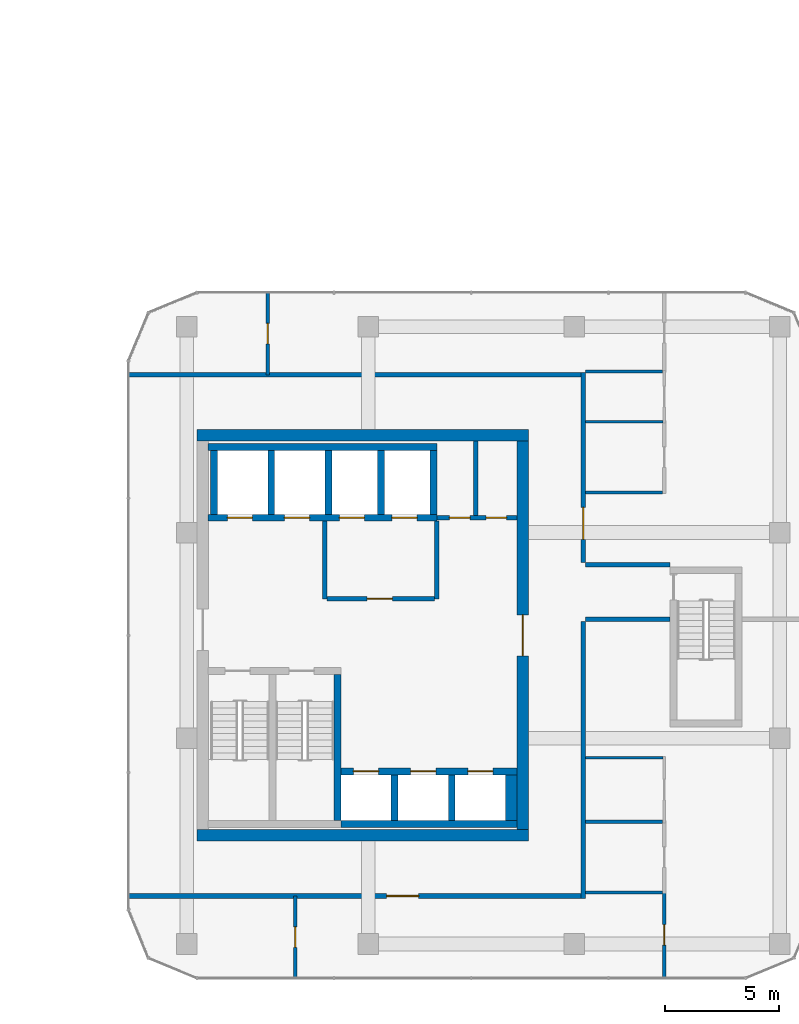
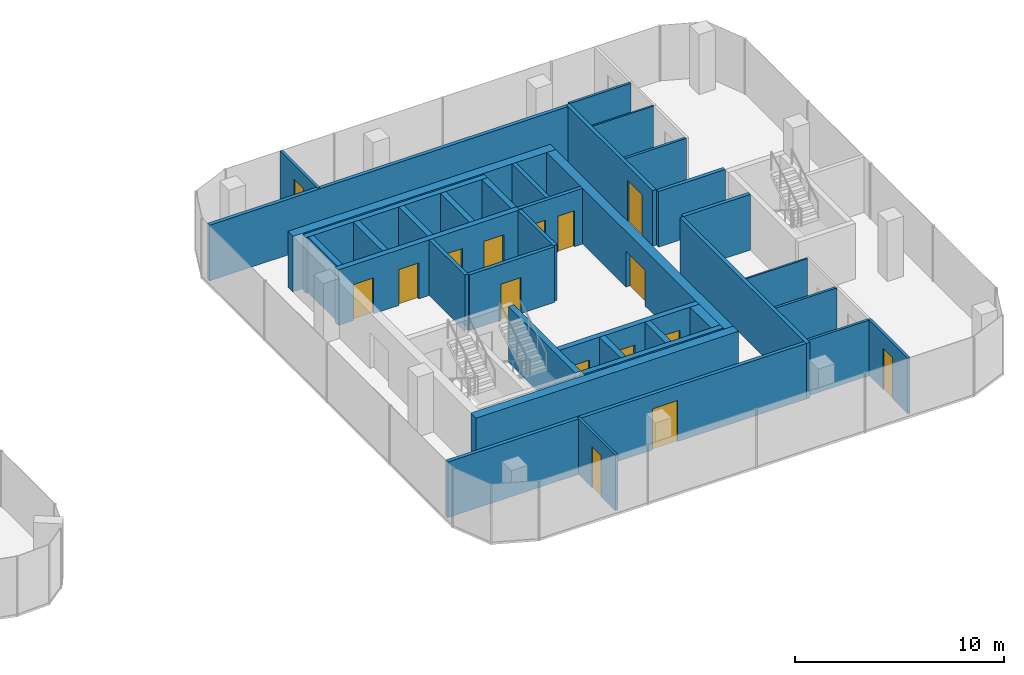
# One storey, part 19 of 24: 36 walls, 16 doors, 16 openings.
"""IFC4 building model written with IfcOpenShell, lengths in metres."""

from ifc_helpers import new_model, si_unit, direction, frame, frame_2d, origin, place, context, subcontext, project, spatial, rectangle, extrude, material, layer, layer_set, type_object, element, fill, save


model = new_model("IFC4")

# Units and contexts
model_context = context("Model", 3, precision=1e-05, world=origin(), true_north=direction((0.0, 1.0)))
body_context = subcontext(model_context, "Body", "Model", "MODEL_VIEW")
ifc_project = project(units=[si_unit("LENGTHUNIT", "METRE"), si_unit("AREAUNIT", "SQUARE_METRE"), si_unit("VOLUMEUNIT", "CUBIC_METRE"), si_unit("PLANEANGLEUNIT", "RADIAN"), si_unit("MASSUNIT", "GRAM", prefix="KILO")], contexts=[model_context])

# Site, building, storey
site_placement = place(None, origin())
site = spatial("IfcSite", under=ifc_project, at=site_placement, CompositionType="ELEMENT")
building_placement = place(site_placement, origin())
building = spatial("IfcBuilding", under=site, at=building_placement, Name="Plateau Cross Towers", CompositionType="ELEMENT")
storey_placement = place(building_placement, frame((0.0, 0.0, 51.300048828125)))
storey = spatial("IfcBuildingStorey", under=building, at=storey_placement, Name="L12", CompositionType="ELEMENT", Elevation=51.300048828125)

# Wall
ifc_material_1 = material(Name="Concrete block, plastered both sides", Category="concrete")
ifc_layer_1 = layer(ifc_material_1, 0.199951171875)
ifc_layer_set_1 = layer_set([ifc_layer_1], Name="Concrete block, plastered both sides")
wall_type_1 = type_object("IfcWallType", Name="Core partition 200", PredefinedType="PARTITIONING", material=ifc_layer_set_1)
wall_1_placement = place(storey_placement, frame((80.60009765625, 10.60009765625, 0.0), z_axis=(0.0, 0.0, 1.0), x_axis=(0.0, 1.0, 0.0)))
element("IfcWall", 1, at=wall_1_placement, inside=storey, type_object=wall_type_1, Name="Core partition", PredefinedType="PARTITIONING", context=body_context, shape_type="SweptSolid", body=[
    extrude(rectangle(XDim=3.39990234375, YDim=0.199951171875, at=frame_2d((1.699951171875, 0.0))), origin(), (0.0, 0.0, 1.0), 3.25),
])

# Wall, opening, door
wall_2_placement = place(storey_placement, frame((80.699951171875, 10.60009765625, 0.0), z_axis=(0.0, 0.0, 1.0), x_axis=(1.0, 0.0, 0.0)))
wall_2 = element("IfcWall", 2, at=wall_2_placement, inside=storey, type_object=wall_type_1, Name="Core partition", PredefinedType="PARTITIONING", context=body_context, shape_type="SweptSolid", body=[
    extrude(rectangle(XDim=4.699951171875, YDim=0.199951171875, at=frame_2d((2.35009765625, 0.0))), origin(), (0.0, 0.0, 1.0), 3.25),
])
opening_1_placement = place(wall_2_placement, frame((1.75, 0.0, 0.0)))
opening_1 = element("IfcOpeningElement", 3, at=opening_1_placement, cuts=wall_2, Name="Opening FFD", PredefinedType="OPENING", context=body_context, shape_type="SweptSolid", body=[
    extrude(rectangle(XDim=1.10009765625, YDim=2.10009765625, at=frame_2d((0.550048828125, 1.050048828125))), frame((0.0, 0.10986328125, 0.0), z_axis=(0.0, -1.0, 0.0), x_axis=(1.0, 0.0, 0.0)), (0.0, 0.0, 1.0), 0.219970703125),
])
ifc_material_2 = material(Name="Steel, fire-resisting leaf", Category="steel")
door_type_1 = type_object("IfcDoorType", Name="Firefighting lobby door 1100", OperationType="NOTDEFINED", PredefinedType="DOOR", material=ifc_material_2)
door_1_placement = place(opening_1_placement, origin())
door_1 = element("IfcDoor", 4, at=door_1_placement, inside=storey, type_object=door_type_1, Name="Firefighting lobby door FFD", OperationType="SINGLE_SWING_LEFT", OverallHeight=2.10009765625, OverallWidth=1.10009765625, PredefinedType="DOOR", context=body_context, shape_type="SweptSolid", body=[
    extrude(rectangle(XDim=1.10009765625, YDim=2.10009765625, at=frame_2d((0.550048828125, 1.050048828125))), frame((0.0, 0.02490234375, 0.0), z_axis=(0.0, -1.0, 0.0), x_axis=(1.0, 0.0, 0.0)), (0.0, 0.0, 1.0), 0.050048828125),
])
fill(opening_1, door_1)

# Wall
wall_3_placement = place(storey_placement, frame((85.5, 10.60009765625, 0.0), z_axis=(0.0, 0.0, 1.0), x_axis=(0.0, 1.0, 0.0)))
element("IfcWall", 5, at=wall_3_placement, inside=storey, type_object=wall_type_1, Name="Core partition", PredefinedType="PARTITIONING", context=body_context, shape_type="SweptSolid", body=[
    extrude(rectangle(XDim=3.39990234375, YDim=0.199951171875, at=frame_2d((1.699951171875, 0.0))), origin(), (0.0, 0.0, 1.0), 3.25),
])

# Wall, openings, doors
wall_4_placement = place(storey_placement, frame((85.5, 14.14990234375, 0.0), z_axis=(0.0, 0.0, 1.0), x_axis=(1.0, 0.0, 0.0)))
wall_4 = element("IfcWall", 6, at=wall_4_placement, inside=storey, type_object=wall_type_1, Name="Core partition", PredefinedType="PARTITIONING", context=body_context, shape_type="SweptSolid", body=[
    extrude(rectangle(XDim=3.5, YDim=0.199951171875, at=frame_2d((1.75, 0.0))), origin(), (0.0, 0.0, 1.0), 3.25),
])
opening_2_placement = place(wall_4_placement, frame((0.550048828125, 0.0, 0.0)))
opening_2 = element("IfcOpeningElement", 7, at=opening_2_placement, cuts=wall_4, Name="Opening RD2", PredefinedType="OPENING", context=body_context, shape_type="SweptSolid", body=[
    extrude(rectangle(XDim=0.89990234375, YDim=2.10009765625, at=frame_2d((0.449951171875, 1.050048828125))), frame((0.0, 0.10986328125, 0.0), z_axis=(0.0, -1.0, 0.0), x_axis=(1.0, 0.0, 0.0)), (0.0, 0.0, 1.0), 0.219970703125),
])
opening_3_placement = place(wall_4_placement, frame((2.14990234375, 0.0, 0.0)))
opening_3 = element("IfcOpeningElement", 8, at=opening_3_placement, cuts=wall_4, Name="Opening RD2", PredefinedType="OPENING", context=body_context, shape_type="SweptSolid", body=[
    extrude(rectangle(XDim=0.89990234375, YDim=2.10009765625, at=frame_2d((0.449951171875, 1.050048828125))), frame((0.0, 0.10986328125, 0.0), z_axis=(0.0, -1.0, 0.0), x_axis=(1.0, 0.0, 0.0)), (0.0, 0.0, 1.0), 0.219970703125),
])
door_type_2 = type_object("IfcDoorType", Name="Core riser door 900", OperationType="NOTDEFINED", PredefinedType="DOOR", material=ifc_material_2)
door_2_placement = place(opening_2_placement, origin())
door_2 = element("IfcDoor", 9, at=door_2_placement, inside=storey, type_object=door_type_2, Name="Core riser door RD2", OperationType="SINGLE_SWING_LEFT", OverallHeight=2.10009765625, OverallWidth=0.89990234375, PredefinedType="DOOR", context=body_context, shape_type="SweptSolid", body=[
    extrude(rectangle(XDim=0.89990234375, YDim=2.10009765625, at=frame_2d((0.449951171875, 1.050048828125))), frame((0.0, 0.02490234375, 0.0), z_axis=(0.0, -1.0, 0.0), x_axis=(1.0, 0.0, 0.0)), (0.0, 0.0, 1.0), 0.050048828125),
])
fill(opening_2, door_2)
door_3_placement = place(opening_3_placement, origin())
door_3 = element("IfcDoor", 10, at=door_3_placement, inside=storey, type_object=door_type_2, Name="Core riser door RD2", OperationType="SINGLE_SWING_LEFT", OverallHeight=2.10009765625, OverallWidth=0.89990234375, PredefinedType="DOOR", context=body_context, shape_type="SweptSolid", body=[
    extrude(rectangle(XDim=0.89990234375, YDim=2.10009765625, at=frame_2d((0.449951171875, 1.050048828125))), frame((0.0, 0.02490234375, 0.0), z_axis=(0.0, -1.0, 0.0), x_axis=(1.0, 0.0, 0.0)), (0.0, 0.0, 1.0), 0.050048828125),
])
fill(opening_3, door_3)

# Walls
wall_5_placement = place(storey_placement, frame((87.199951171875, 14.25, 0.0), z_axis=(0.0, 0.0, 1.0), x_axis=(0.0, 1.0, 0.0)))
element("IfcWall", 11, at=wall_5_placement, inside=storey, type_object=wall_type_1, Name="Core partition", PredefinedType="PARTITIONING", context=body_context, shape_type="SweptSolid", body=[
    extrude(rectangle(XDim=3.25, YDim=0.199951171875, at=frame_2d((1.625, 0.0))), origin(), (0.0, 0.0, 1.0), 3.25),
])
ifc_material_3 = material(Name="Concrete C60/75", Category="concrete")
ifc_layer_2 = layer(ifc_material_3, 0.300048828125)
ifc_layer_set_2 = layer_set([ifc_layer_2], Name="Concrete C60/75")
wall_type_2 = type_object("IfcWallType", Name="Core shaft wall 300", PredefinedType="SHEAR", material=ifc_layer_set_2)
wall_6_placement = place(storey_placement, frame((81.14990234375, 0.89990234375, 0.0), z_axis=(0.0, 0.0, 1.0), x_axis=(0.0, 1.0, 0.0)))
element("IfcWall", 12, at=wall_6_placement, inside=storey, type_object=wall_type_2, Name="B-sb-st2@L12", PredefinedType="SHEAR", context=body_context, shape_type="SweptSolid", body=[
    extrude(rectangle(XDim=6.400146484375, YDim=0.300048828125, at=frame_2d((3.2001953125, 0.0))), origin(), (0.0, 0.0, 1.0), 3.25),
])
wall_7_placement = place(storey_placement, frame((81.300048828125, 0.75, 0.0), z_axis=(0.0, 0.0, 1.0), x_axis=(1.0, 0.0, 0.0)))
element("IfcWall", 13, at=wall_7_placement, inside=storey, type_object=wall_type_2, Name="B-sb-back@L12", PredefinedType="SHEAR", context=body_context, shape_type="SweptSolid", body=[
    extrude(rectangle(XDim=7.699951171875, YDim=0.300048828125, at=frame_2d((3.85009765625, 0.0))), origin(), (0.0, 0.0, 1.0), 3.25),
])
for number, where, z_axis, x_axis, name in (
    (14, (83.64990234375, 0.89990234375, 0.0), (0.0, 0.0, 1.0), (0.0, 1.0, 0.0), "B-sb-v1@L12"),
    (15, (86.14990234375, 0.89990234375, 0.0), (0.0, 0.0, 1.0), (0.0, 1.0, 0.0), "B-sb-v2@L12"),
):
    element("IfcWall", number, at=place(storey_placement, frame(where, z_axis=z_axis, x_axis=x_axis)), inside=storey, type_object=wall_type_2, Name=name, PredefinedType="SHEAR", context=body_context, shape_type="SweptSolid", body=[
        extrude(rectangle(XDim=2.0, YDim=0.300048828125, at=frame_2d((1.0, 0.0))), origin(), (0.0, 0.0, 1.0), 3.25),
    ])

# Wall, openings, doors
wall_8_placement = place(storey_placement, frame((81.300048828125, 3.050048828125, 0.0), z_axis=(0.0, 0.0, 1.0), x_axis=(1.0, 0.0, 0.0)))
wall_8 = element("IfcWall", 16, at=wall_8_placement, inside=storey, type_object=wall_type_2, Name="B-sb-front@L12", PredefinedType="SHEAR", context=body_context, shape_type="SweptSolid", body=[
    extrude(rectangle(XDim=7.699951171875, YDim=0.300048828125, at=frame_2d((3.85009765625, 0.0))), origin(), (0.0, 0.0, 1.0), 3.25),
])
opening_4_placement = place(wall_8_placement, frame((0.550048828125, 0.0, 0.0)))
opening_4 = element("IfcOpeningElement", 17, at=opening_4_placement, cuts=wall_8, Name="Opening LD", PredefinedType="OPENING", context=body_context, shape_type="SweptSolid", body=[
    extrude(rectangle(XDim=1.10009765625, YDim=2.10009765625, at=frame_2d((0.550048828125, 1.050048828125))), frame((0.0, 0.159912109375, 0.0), z_axis=(0.0, -1.0, 0.0), x_axis=(1.0, 0.0, 0.0)), (0.0, 0.0, 1.0), 0.320068359375),
])
opening_5_placement = place(wall_8_placement, frame((3.050048828125, 0.0, 0.0)))
opening_5 = element("IfcOpeningElement", 18, at=opening_5_placement, cuts=wall_8, Name="Opening LD", PredefinedType="OPENING", context=body_context, shape_type="SweptSolid", body=[
    extrude(rectangle(XDim=1.10009765625, YDim=2.10009765625, at=frame_2d((0.550048828125, 1.050048828125))), frame((0.0, 0.159912109375, 0.0), z_axis=(0.0, -1.0, 0.0), x_axis=(1.0, 0.0, 0.0)), (0.0, 0.0, 1.0), 0.320068359375),
])
opening_6_placement = place(wall_8_placement, frame((5.550048828125, 0.0, 0.0)))
opening_6 = element("IfcOpeningElement", 19, at=opening_6_placement, cuts=wall_8, Name="Opening LD", PredefinedType="OPENING", context=body_context, shape_type="SweptSolid", body=[
    extrude(rectangle(XDim=1.10009765625, YDim=2.10009765625, at=frame_2d((0.550048828125, 1.050048828125))), frame((0.0, 0.159912109375, 0.0), z_axis=(0.0, -1.0, 0.0), x_axis=(1.0, 0.0, 0.0)), (0.0, 0.0, 1.0), 0.320068359375),
])
ifc_material_4 = material(Name="Stainless steel, fire-resisting sliding leaves", Category="steel")
door_type_3 = type_object("IfcDoorType", Name="Lift landing door 1100", OperationType="NOTDEFINED", PredefinedType="DOOR", material=ifc_material_4)
door_4_placement = place(opening_4_placement, origin())
door_4 = element("IfcDoor", 20, at=door_4_placement, inside=storey, type_object=door_type_3, Name="Lift landing door LD", OperationType="DOUBLE_DOOR_SLIDING", OverallHeight=2.10009765625, OverallWidth=1.10009765625, PredefinedType="DOOR", context=body_context, shape_type="SweptSolid", body=[
    extrude(rectangle(XDim=1.10009765625, YDim=2.10009765625, at=frame_2d((0.550048828125, 1.050048828125))), frame((0.0, 0.02490234375, 0.0), z_axis=(0.0, -1.0, 0.0), x_axis=(1.0, 0.0, 0.0)), (0.0, 0.0, 1.0), 0.050048828125),
])
fill(opening_4, door_4)
door_5_placement = place(opening_5_placement, origin())
door_5 = element("IfcDoor", 21, at=door_5_placement, inside=storey, type_object=door_type_3, Name="Lift landing door LD", OperationType="DOUBLE_DOOR_SLIDING", OverallHeight=2.10009765625, OverallWidth=1.10009765625, PredefinedType="DOOR", context=body_context, shape_type="SweptSolid", body=[
    extrude(rectangle(XDim=1.10009765625, YDim=2.10009765625, at=frame_2d((0.550048828125, 1.050048828125))), frame((0.0, 0.02490234375, 0.0), z_axis=(0.0, -1.0, 0.0), x_axis=(1.0, 0.0, 0.0)), (0.0, 0.0, 1.0), 0.050048828125),
])
fill(opening_5, door_5)
door_6_placement = place(opening_6_placement, origin())
door_6 = element("IfcDoor", 22, at=door_6_placement, inside=storey, type_object=door_type_3, Name="Lift landing door LD", OperationType="DOUBLE_DOOR_SLIDING", OverallHeight=2.10009765625, OverallWidth=1.10009765625, PredefinedType="DOOR", context=body_context, shape_type="SweptSolid", body=[
    extrude(rectangle(XDim=1.10009765625, YDim=2.10009765625, at=frame_2d((0.550048828125, 1.050048828125))), frame((0.0, 0.02490234375, 0.0), z_axis=(0.0, -1.0, 0.0), x_axis=(1.0, 0.0, 0.0)), (0.0, 0.0, 1.0), 0.050048828125),
])
fill(opening_6, door_6)

# Wall
wall_9_placement = place(storey_placement, frame((75.47998046875, 17.25, 0.0), z_axis=(0.0, 0.0, 1.0), x_axis=(1.0, 0.0, 0.0)))
element("IfcWall", 23, at=wall_9_placement, inside=storey, type_object=wall_type_2, Name="B-nb-back@L12", PredefinedType="SHEAR", context=body_context, shape_type="SweptSolid", body=[
    extrude(rectangle(XDim=10.02001953125, YDim=0.300048828125, at=frame_2d((5.010009765625, 0.0))), origin(), (0.0, 0.0, 1.0), 3.25),
])

# Wall, openings, doors
wall_10_placement = place(storey_placement, frame((75.47998046875, 14.14990234375, 0.0), z_axis=(0.0, 0.0, 1.0), x_axis=(1.0, 0.0, 0.0)))
wall_10 = element("IfcWall", 24, at=wall_10_placement, inside=storey, type_object=wall_type_2, Name="B-nb-front@L12", PredefinedType="SHEAR", context=body_context, shape_type="SweptSolid", body=[
    extrude(rectangle(XDim=10.02001953125, YDim=0.300048828125, at=frame_2d((5.010009765625, 0.0))), origin(), (0.0, 0.0, 1.0), 3.25),
])
opening_7_placement = place(wall_10_placement, frame((0.85009765625, 0.0, 0.0)))
opening_7 = element("IfcOpeningElement", 25, at=opening_7_placement, cuts=wall_10, Name="Opening LD", PredefinedType="OPENING", context=body_context, shape_type="SweptSolid", body=[
    extrude(rectangle(XDim=1.10009765625, YDim=2.10009765625, at=frame_2d((0.550048828125, 1.050048828125))), frame((0.0, 0.159912109375, 0.0), z_axis=(0.0, -1.0, 0.0), x_axis=(1.0, 0.0, 0.0)), (0.0, 0.0, 1.0), 0.320068359375),
])
opening_8_placement = place(wall_10_placement, frame((3.35009765625, 0.0, 0.0)))
opening_8 = element("IfcOpeningElement", 26, at=opening_8_placement, cuts=wall_10, Name="Opening LD", PredefinedType="OPENING", context=body_context, shape_type="SweptSolid", body=[
    extrude(rectangle(XDim=1.10009765625, YDim=2.10009765625, at=frame_2d((0.550048828125, 1.050048828125))), frame((0.0, 0.159912109375, 0.0), z_axis=(0.0, -1.0, 0.0), x_axis=(1.0, 0.0, 0.0)), (0.0, 0.0, 1.0), 0.320068359375),
])
opening_9_placement = place(wall_10_placement, frame((5.75, 0.0, 0.0)))
opening_9 = element("IfcOpeningElement", 27, at=opening_9_placement, cuts=wall_10, Name="Opening LD", PredefinedType="OPENING", context=body_context, shape_type="SweptSolid", body=[
    extrude(rectangle(XDim=1.10009765625, YDim=2.10009765625, at=frame_2d((0.550048828125, 1.050048828125))), frame((0.0, 0.159912109375, 0.0), z_axis=(0.0, -1.0, 0.0), x_axis=(1.0, 0.0, 0.0)), (0.0, 0.0, 1.0), 0.320068359375),
])
opening_10_placement = place(wall_10_placement, frame((8.050048828125, 0.0, 0.0)))
opening_10 = element("IfcOpeningElement", 28, at=opening_10_placement, cuts=wall_10, Name="Opening LD", PredefinedType="OPENING", context=body_context, shape_type="SweptSolid", body=[
    extrude(rectangle(XDim=1.10009765625, YDim=2.10009765625, at=frame_2d((0.550048828125, 1.050048828125))), frame((0.0, 0.159912109375, 0.0), z_axis=(0.0, -1.0, 0.0), x_axis=(1.0, 0.0, 0.0)), (0.0, 0.0, 1.0), 0.320068359375),
])
door_7_placement = place(opening_7_placement, origin())
door_7 = element("IfcDoor", 29, at=door_7_placement, inside=storey, type_object=door_type_3, Name="Lift landing door LD", OperationType="DOUBLE_DOOR_SLIDING", OverallHeight=2.10009765625, OverallWidth=1.10009765625, PredefinedType="DOOR", context=body_context, shape_type="SweptSolid", body=[
    extrude(rectangle(XDim=1.10009765625, YDim=2.10009765625, at=frame_2d((0.550048828125, 1.050048828125))), frame((0.0, 0.02490234375, 0.0), z_axis=(0.0, -1.0, 0.0), x_axis=(1.0, 0.0, 0.0)), (0.0, 0.0, 1.0), 0.050048828125),
])
fill(opening_7, door_7)
door_8_placement = place(opening_8_placement, origin())
door_8 = element("IfcDoor", 30, at=door_8_placement, inside=storey, type_object=door_type_3, Name="Lift landing door LD", OperationType="DOUBLE_DOOR_SLIDING", OverallHeight=2.10009765625, OverallWidth=1.10009765625, PredefinedType="DOOR", context=body_context, shape_type="SweptSolid", body=[
    extrude(rectangle(XDim=1.10009765625, YDim=2.10009765625, at=frame_2d((0.550048828125, 1.050048828125))), frame((0.0, 0.02490234375, 0.0), z_axis=(0.0, -1.0, 0.0), x_axis=(1.0, 0.0, 0.0)), (0.0, 0.0, 1.0), 0.050048828125),
])
fill(opening_8, door_8)
door_9_placement = place(opening_9_placement, origin())
door_9 = element("IfcDoor", 31, at=door_9_placement, inside=storey, type_object=door_type_3, Name="Lift landing door LD", OperationType="DOUBLE_DOOR_SLIDING", OverallHeight=2.10009765625, OverallWidth=1.10009765625, PredefinedType="DOOR", context=body_context, shape_type="SweptSolid", body=[
    extrude(rectangle(XDim=1.10009765625, YDim=2.10009765625, at=frame_2d((0.550048828125, 1.050048828125))), frame((0.0, 0.02490234375, 0.0), z_axis=(0.0, -1.0, 0.0), x_axis=(1.0, 0.0, 0.0)), (0.0, 0.0, 1.0), 0.050048828125),
])
fill(opening_9, door_9)
door_10_placement = place(opening_10_placement, origin())
door_10 = element("IfcDoor", 32, at=door_10_placement, inside=storey, type_object=door_type_3, Name="Lift landing door LD", OperationType="DOUBLE_DOOR_SLIDING", OverallHeight=2.10009765625, OverallWidth=1.10009765625, PredefinedType="DOOR", context=body_context, shape_type="SweptSolid", body=[
    extrude(rectangle(XDim=1.10009765625, YDim=2.10009765625, at=frame_2d((0.550048828125, 1.050048828125))), frame((0.0, 0.02490234375, 0.0), z_axis=(0.0, -1.0, 0.0), x_axis=(1.0, 0.0, 0.0)), (0.0, 0.0, 1.0), 0.050048828125),
])
fill(opening_10, door_10)

# Walls
for number, where, z_axis, x_axis, name in (
    (33, (75.75, 14.300048828125, 0.0), (0.0, 0.0, 1.0), (0.0, 1.0, 0.0), "B-nb-v0@L12"),
    (34, (78.25, 14.300048828125, 0.0), (0.0, 0.0, 1.0), (0.0, 1.0, 0.0), "B-nb-v1@L12"),
    (35, (80.75, 14.300048828125, 0.0), (0.0, 0.0, 1.0), (0.0, 1.0, 0.0), "B-nb-v2@L12"),
    (36, (83.050048828125, 14.300048828125, 0.0), (0.0, 0.0, 1.0), (0.0, 1.0, 0.0), "B-nb-v3@L12"),
    (37, (85.35009765625, 14.300048828125, 0.0), (0.0, 0.0, 1.0), (0.0, 1.0, 0.0), "B-nb-v4@L12"),
):
    element("IfcWall", number, at=place(storey_placement, frame(where, z_axis=z_axis, x_axis=x_axis)), inside=storey, type_object=wall_type_2, Name=name, PredefinedType="SHEAR", context=body_context, shape_type="SweptSolid", body=[
        extrude(rectangle(XDim=2.800048828125, YDim=0.300048828125, at=frame_2d((1.39990234375, 0.0))), origin(), (0.0, 0.0, 1.0), 3.25),
    ])
ifc_layer_3 = layer(ifc_material_3, 0.5)
ifc_layer_set_3 = layer_set([ifc_layer_3], Name="Concrete C60/75")
wall_type_3 = type_object("IfcWallType", Name="Core shaft wall 500", PredefinedType="SHEAR", material=ifc_layer_set_3)
wall_11_placement = place(storey_placement, frame((88.75, 0.89990234375, 0.0), z_axis=(0.0, 0.0, 1.0), x_axis=(0.0, 1.0, 0.0)))
element("IfcWall", 38, at=wall_11_placement, inside=storey, type_object=wall_type_3, Name="B-sb-v3@L12", PredefinedType="SHEAR", context=body_context, shape_type="SweptSolid", body=[
    extrude(rectangle(XDim=2.0, YDim=0.5, at=frame_2d((1.0, 0.0))), origin(), (0.0, 0.0, 1.0), 3.25),
])
ifc_layer_4 = layer(ifc_material_3, 0.5)
ifc_layer_set_4 = layer_set([ifc_layer_4], Name="Concrete C60/75")
wall_type_4 = type_object("IfcWallType", Name="Core shell wall 500", PredefinedType="SHEAR", material=ifc_layer_set_4)
for number, where, z_axis, x_axis, name in (
    (39, (75.0, 0.25, 0.0), (0.0, 0.0, 1.0), (1.0, 0.0, 0.0), "B-core-S@L12"),
    (40, (75.0, 17.75, 0.0), (0.0, 0.0, 1.0), (1.0, 0.0, 0.0), "B-core-N@L12"),
):
    element("IfcWall", number, at=place(storey_placement, frame(where, z_axis=z_axis, x_axis=x_axis)), inside=storey, type_object=wall_type_4, Name=name, PredefinedType="SHEAR", context=body_context, shape_type="SweptSolid", body=[
        extrude(rectangle(XDim=14.5, YDim=0.5, at=frame_2d((7.25, 0.0))), origin(), (0.0, 0.0, 1.0), 3.25),
    ])

# Wall, opening, door
wall_12_placement = place(storey_placement, frame((89.25, 0.5, 0.0), z_axis=(0.0, 0.0, 1.0), x_axis=(0.0, 1.0, 0.0)))
wall_12 = element("IfcWall", 41, at=wall_12_placement, inside=storey, type_object=wall_type_4, Name="B-core-E@L12", PredefinedType="SHEAR", context=body_context, shape_type="SweptSolid", body=[
    extrude(rectangle(XDim=17.0, YDim=0.5, at=frame_2d((8.5, 0.0))), origin(), (0.0, 0.0, 1.0), 3.25),
])
opening_11_placement = place(wall_12_placement, frame((7.60009765625, 0.0, 0.0)))
opening_11 = element("IfcOpeningElement", 42, at=opening_11_placement, cuts=wall_12, Name="Opening CD", PredefinedType="OPENING", context=body_context, shape_type="SweptSolid", body=[
    extrude(rectangle(XDim=1.800048828125, YDim=2.10009765625, at=frame_2d((0.89990234375, 1.050048828125))), frame((0.0, 0.260009765625, 0.0), z_axis=(0.0, -1.0, 0.0), x_axis=(1.0, 0.0, 0.0)), (0.0, 0.0, 1.0), 0.52001953125),
])
ifc_material_5 = material(Name="Steel, fire-resisting leaves", Category="steel")
door_type_4 = type_object("IfcDoorType", Name="Corridor door pair 1800", OperationType="NOTDEFINED", PredefinedType="DOOR", material=ifc_material_5)
door_11_placement = place(opening_11_placement, origin())
door_11 = element("IfcDoor", 43, at=door_11_placement, inside=storey, type_object=door_type_4, Name="Corridor door pair CD", OperationType="DOUBLE_DOOR_SINGLE_SWING", OverallHeight=2.10009765625, OverallWidth=1.800048828125, PredefinedType="DOOR", context=body_context, shape_type="SweptSolid", body=[
    extrude(rectangle(XDim=1.800048828125, YDim=2.10009765625, at=frame_2d((0.89990234375, 1.050048828125))), frame((0.0, 0.02490234375, 0.0), z_axis=(0.0, -1.0, 0.0), x_axis=(1.0, 0.0, 0.0)), (0.0, 0.0, 1.0), 0.050048828125),
])
fill(opening_11, door_11)

ifc_material_6 = material(Name="Gypsum board on steel studs, two layers each side", Category="steel")
ifc_layer_5 = layer(ifc_material_6, 0.199951171875)
ifc_layer_set_5 = layer_set([ifc_layer_5], Name="Gypsum board on steel studs, two layers each side")
wall_type_5 = type_object("IfcWallType", Name="Corridor wall 200", PredefinedType="PARTITIONING", material=ifc_layer_set_5)
wall_13_placement = place(storey_placement, frame((72.0, -2.39990234375, 0.0), z_axis=(0.0, 0.0, 1.0), x_axis=(1.0, 0.0, 0.0)))
wall_13 = element("IfcWall", 44, at=wall_13_placement, inside=storey, type_object=wall_type_5, Name="Ring wall", PredefinedType="PARTITIONING", context=body_context, shape_type="SweptSolid", body=[
    extrude(rectangle(XDim=20.0, YDim=0.199951171875, at=frame_2d((10.0, 0.0))), origin(), (0.0, 0.0, 1.0), 3.25),
])
opening_12_placement = place(wall_13_placement, frame((11.300048828125, 0.0, 0.0)))
opening_12 = element("IfcOpeningElement", 45, at=opening_12_placement, cuts=wall_13, Name="Opening D-BE14", PredefinedType="OPENING", context=body_context, shape_type="SweptSolid", body=[
    extrude(rectangle(XDim=1.39990234375, YDim=2.39990234375, at=frame_2d((0.699951171875, 1.199951171875))), frame((0.0, 0.10986328125, 0.0), z_axis=(0.0, -1.0, 0.0), x_axis=(1.0, 0.0, 0.0)), (0.0, 0.0, 1.0), 0.219970703125),
])
ifc_material_7 = material(Name="Timber, fire-resisting leaves", Category="wood")
door_type_5 = type_object("IfcDoorType", Name="Tenant entrance double-leaf 1400x2400", OperationType="NOTDEFINED", PredefinedType="DOOR", material=ifc_material_7)
door_12_placement = place(opening_12_placement, origin())
door_12 = element("IfcDoor", 46, at=door_12_placement, inside=storey, type_object=door_type_5, Name="Door D-BE14", OperationType="DOUBLE_DOOR_SINGLE_SWING", OverallHeight=2.39990234375, OverallWidth=1.39990234375, PredefinedType="DOOR", context=body_context, shape_type="SweptSolid", body=[
    extrude(rectangle(XDim=1.39990234375, YDim=2.39990234375, at=frame_2d((0.699951171875, 1.199951171875))), frame((0.0, 0.02490234375, 0.0), z_axis=(0.0, -1.0, 0.0), x_axis=(1.0, 0.0, 0.0)), (0.0, 0.0, 1.0), 0.050048828125),
])
fill(opening_12, door_12)

# Walls
wall_14_placement = place(storey_placement, frame((72.0, 20.39990234375, 0.0), z_axis=(0.0, 0.0, 1.0), x_axis=(1.0, 0.0, 0.0)))
element("IfcWall", 47, at=wall_14_placement, inside=storey, type_object=wall_type_5, Name="Ring wall", PredefinedType="PARTITIONING", context=body_context, shape_type="SweptSolid", body=[
    extrude(rectangle(XDim=20.0, YDim=0.199951171875, at=frame_2d((10.0, 0.0))), origin(), (0.0, 0.0, 1.0), 3.25),
])
wall_15_placement = place(storey_placement, frame((91.89990234375, -2.5, 0.0), z_axis=(0.0, 0.0, 1.0), x_axis=(0.0, 1.0, 0.0)))
element("IfcWall", 48, at=wall_15_placement, inside=storey, type_object=wall_type_5, Name="Ring wall", PredefinedType="PARTITIONING", context=body_context, shape_type="SweptSolid", body=[
    extrude(rectangle(XDim=12.10009765625, YDim=0.199951171875, at=frame_2d((6.050048828125, 0.0))), origin(), (0.0, 0.0, 1.0), 3.25),
])

# Wall, opening, door
wall_16_placement = place(storey_placement, frame((91.89990234375, 12.199951171875, 0.0), z_axis=(0.0, 0.0, 1.0), x_axis=(0.0, 1.0, 0.0)))
wall_16 = element("IfcWall", 49, at=wall_16_placement, inside=storey, type_object=wall_type_5, Name="Ring wall", PredefinedType="PARTITIONING", context=body_context, shape_type="SweptSolid", body=[
    extrude(rectangle(XDim=8.300048828125, YDim=0.199951171875, at=frame_2d((4.14990234375, 0.0))), origin(), (0.0, 0.0, 1.0), 3.25),
])
opening_13_placement = place(wall_16_placement, frame((1.0, 0.0, 0.0)))
opening_13 = element("IfcOpeningElement", 50, at=opening_13_placement, cuts=wall_16, Name="Opening D-BE14", PredefinedType="OPENING", context=body_context, shape_type="SweptSolid", body=[
    extrude(rectangle(XDim=1.39990234375, YDim=2.39990234375, at=frame_2d((0.699951171875, 1.199951171875))), frame((0.0, 0.10986328125, 0.0), z_axis=(0.0, -1.0, 0.0), x_axis=(1.0, 0.0, 0.0)), (0.0, 0.0, 1.0), 0.219970703125),
])
door_13_placement = place(opening_13_placement, origin())
door_13 = element("IfcDoor", 51, at=door_13_placement, inside=storey, type_object=door_type_5, Name="Door D-BE14", OperationType="DOUBLE_DOOR_SINGLE_SWING", OverallHeight=2.39990234375, OverallWidth=1.39990234375, PredefinedType="DOOR", context=body_context, shape_type="SweptSolid", body=[
    extrude(rectangle(XDim=1.39990234375, YDim=2.39990234375, at=frame_2d((0.699951171875, 1.199951171875))), frame((0.0, 0.02490234375, 0.0), z_axis=(0.0, -1.0, 0.0), x_axis=(1.0, 0.0, 0.0)), (0.0, 0.0, 1.0), 0.050048828125),
])
fill(opening_13, door_13)

# Walls
for number, where, z_axis, x_axis, name in (
    (52, (92.0, 9.699951171875, 0.0), (0.0, 0.0, 1.0), (1.0, 0.0, 0.0), "Ring wall"),
    (53, (92.0, 12.10009765625, 0.0), (0.0, 0.0, 1.0), (1.0, 0.0, 0.0), "Ring wall"),
):
    element("IfcWall", number, at=place(storey_placement, frame(where, z_axis=z_axis, x_axis=x_axis)), inside=storey, type_object=wall_type_5, Name=name, PredefinedType="PARTITIONING", context=body_context, shape_type="SweptSolid", body=[
        extrude(rectangle(XDim=3.699951171875, YDim=0.199951171875, at=frame_2d((1.85009765625, 0.0))), origin(), (0.0, 0.0, 1.0), 3.25),
    ])

# Wall, opening, door
ifc_material_8 = material(Name="Gypsum board on staggered steel studs, mineral wool, two layers each side", Category="steel")
ifc_layer_6 = layer(ifc_material_8, 0.139892578125)
ifc_layer_set_6 = layer_set([ifc_layer_6], Name="Gypsum board on staggered steel studs, mineral wool, two layers each side")
wall_type_6 = type_object("IfcWallType", Name="Meeting room acoustic partition 140", PredefinedType="PARTITIONING", material=ifc_layer_set_6)
wall_17_placement = place(storey_placement, frame((79.300048828125, -6.0, 0.0), z_axis=(0.0, 0.0, 1.0), x_axis=(0.0, 1.0, 0.0)))
wall_17 = element("IfcWall", 54, at=wall_17_placement, inside=storey, type_object=wall_type_6, Name="Acoustic wall", PredefinedType="PARTITIONING", context=body_context, shape_type="SweptSolid", body=[
    extrude(rectangle(XDim=3.60009765625, YDim=0.139892578125, at=frame_2d((1.800048828125, 0.0))), origin(), (0.0, 0.0, 1.0), 3.25),
])
opening_14_placement = place(wall_17_placement, frame((1.35009765625, 0.0, 0.0)))
opening_14 = element("IfcOpeningElement", 55, at=opening_14_placement, cuts=wall_17, Name="Opening D-BM9", PredefinedType="OPENING", context=body_context, shape_type="SweptSolid", body=[
    extrude(rectangle(XDim=0.89990234375, YDim=2.39990234375, at=frame_2d((0.449951171875, 1.199951171875))), frame((0.0, 0.079833984375, 0.0), z_axis=(0.0, -1.0, 0.0), x_axis=(1.0, 0.0, 0.0)), (0.0, 0.0, 1.0), 0.159912109375),
])
ifc_material_9 = material(Name="Timber leaf, full height", Category="wood")
door_type_6 = type_object("IfcDoorType", Name="Meeting room door 900x2400", OperationType="NOTDEFINED", PredefinedType="DOOR", material=ifc_material_9)
door_14_placement = place(opening_14_placement, origin())
door_14 = element("IfcDoor", 56, at=door_14_placement, inside=storey, type_object=door_type_6, Name="Door D-BM9", OperationType="SINGLE_SWING_LEFT", OverallHeight=2.39990234375, OverallWidth=0.89990234375, PredefinedType="DOOR", context=body_context, shape_type="SweptSolid", body=[
    extrude(rectangle(XDim=0.89990234375, YDim=2.39990234375, at=frame_2d((0.449951171875, 1.199951171875))), frame((0.0, 0.02490234375, 0.0), z_axis=(0.0, -1.0, 0.0), x_axis=(1.0, 0.0, 0.0)), (0.0, 0.0, 1.0), 0.050048828125),
])
fill(opening_14, door_14)

wall_18_placement = place(storey_placement, frame((95.449951171875, -6.0, 0.0), z_axis=(0.0, 0.0, 1.0), x_axis=(0.0, 1.0, 0.0)))
wall_18 = element("IfcWall", 57, at=wall_18_placement, inside=storey, type_object=wall_type_6, Name="Acoustic wall", PredefinedType="PARTITIONING", context=body_context, shape_type="SweptSolid", body=[
    extrude(rectangle(XDim=3.800048828125, YDim=0.139892578125, at=frame_2d((1.89990234375, 0.0))), origin(), (0.0, 0.0, 1.0), 3.25),
])
opening_15_placement = place(wall_18_placement, frame((1.449951171875, 0.0, 0.0)))
opening_15 = element("IfcOpeningElement", 58, at=opening_15_placement, cuts=wall_18, Name="Opening D-BM9", PredefinedType="OPENING", context=body_context, shape_type="SweptSolid", body=[
    extrude(rectangle(XDim=0.89990234375, YDim=2.39990234375, at=frame_2d((0.449951171875, 1.199951171875))), frame((0.0, 0.079833984375, 0.0), z_axis=(0.0, -1.0, 0.0), x_axis=(1.0, 0.0, 0.0)), (0.0, 0.0, 1.0), 0.159912109375),
])
door_15_placement = place(opening_15_placement, origin())
door_15 = element("IfcDoor", 59, at=door_15_placement, inside=storey, type_object=door_type_6, Name="Door D-BM9", OperationType="SINGLE_SWING_LEFT", OverallHeight=2.39990234375, OverallWidth=0.89990234375, PredefinedType="DOOR", context=body_context, shape_type="SweptSolid", body=[
    extrude(rectangle(XDim=0.89990234375, YDim=2.39990234375, at=frame_2d((0.449951171875, 1.199951171875))), frame((0.0, 0.02490234375, 0.0), z_axis=(0.0, -1.0, 0.0), x_axis=(1.0, 0.0, 0.0)), (0.0, 0.0, 1.0), 0.050048828125),
])
fill(opening_15, door_15)

# Walls
for number, where, z_axis, x_axis, name in (
    (60, (92.0, -2.25, 0.0), (0.0, 0.0, 1.0), (1.0, 0.0, 0.0), "Acoustic wall"),
    (61, (92.0, 0.85009765625, 0.0), (0.0, 0.0, 1.0), (1.0, 0.0, 0.0), "Acoustic wall"),
    (62, (92.0, 20.550048828125, 0.0), (0.0, 0.0, 1.0), (1.0, 0.0, 0.0), "Acoustic wall"),
    (63, (92.0, 15.25, 0.0), (0.0, 0.0, 1.0), (1.0, 0.0, 0.0), "Acoustic wall"),
):
    element("IfcWall", number, at=place(storey_placement, frame(where, z_axis=z_axis, x_axis=x_axis)), inside=storey, type_object=wall_type_6, Name=name, PredefinedType="PARTITIONING", context=body_context, shape_type="SweptSolid", body=[
        extrude(rectangle(XDim=3.3798828125, YDim=0.139892578125, at=frame_2d((1.68994140625, 0.0))), origin(), (0.0, 0.0, 1.0), 3.25),
    ])

# Wall, opening, door
wall_19_placement = place(storey_placement, frame((78.10009765625, 20.39990234375, 0.0), z_axis=(0.0, 0.0, 1.0), x_axis=(0.0, 1.0, 0.0)))
wall_19 = element("IfcWall", 64, at=wall_19_placement, inside=storey, type_object=wall_type_6, Name="Acoustic wall", PredefinedType="PARTITIONING", context=body_context, shape_type="SweptSolid", body=[
    extrude(rectangle(XDim=3.60009765625, YDim=0.139892578125, at=frame_2d((1.800048828125, 0.0))), origin(), (0.0, 0.0, 1.0), 3.25),
])
opening_16_placement = place(wall_19_placement, frame((1.35009765625, 0.0, 0.0)))
opening_16 = element("IfcOpeningElement", 65, at=opening_16_placement, cuts=wall_19, Name="Opening D-BM9", PredefinedType="OPENING", context=body_context, shape_type="SweptSolid", body=[
    extrude(rectangle(XDim=0.89990234375, YDim=2.39990234375, at=frame_2d((0.449951171875, 1.199951171875))), frame((0.0, 0.079833984375, 0.0), z_axis=(0.0, -1.0, 0.0), x_axis=(1.0, 0.0, 0.0)), (0.0, 0.0, 1.0), 0.159912109375),
])
door_16_placement = place(opening_16_placement, origin())
door_16 = element("IfcDoor", 66, at=door_16_placement, inside=storey, type_object=door_type_6, Name="Door D-BM9", OperationType="SINGLE_SWING_LEFT", OverallHeight=2.39990234375, OverallWidth=0.89990234375, PredefinedType="DOOR", context=body_context, shape_type="SweptSolid", body=[
    extrude(rectangle(XDim=0.89990234375, YDim=2.39990234375, at=frame_2d((0.449951171875, 1.199951171875))), frame((0.0, 0.02490234375, 0.0), z_axis=(0.0, -1.0, 0.0), x_axis=(1.0, 0.0, 0.0)), (0.0, 0.0, 1.0), 0.050048828125),
])
fill(opening_16, door_16)

# Walls
ifc_material_10 = material(Name="Gypsum board on steel studs", Category="steel")
ifc_layer_7 = layer(ifc_material_10, 0.10009765625)
ifc_layer_set_7 = layer_set([ifc_layer_7], Name="Gypsum board on steel studs")
wall_type_7 = type_object("IfcWallType", Name="Office partition 100", PredefinedType="PARTITIONING", material=ifc_layer_set_7)
for number, where, z_axis, x_axis, name in (
    (67, (92.0, 3.64990234375, 0.0), (0.0, 0.0, 1.0), (1.0, 0.0, 0.0), "Part wall"),
    (68, (92.0, 18.35009765625, 0.0), (0.0, 0.0, 1.0), (1.0, 0.0, 0.0), "Part wall"),
):
    element("IfcWall", number, at=place(storey_placement, frame(where, z_axis=z_axis, x_axis=x_axis)), inside=storey, type_object=wall_type_7, Name=name, PredefinedType="PARTITIONING", context=body_context, shape_type="SweptSolid", body=[
        extrude(rectangle(XDim=3.39990234375, YDim=0.10009765625, at=frame_2d((1.699951171875, 0.0))), origin(), (0.0, 0.0, 1.0), 3.25),
    ])

save(model, "model.ifc")
